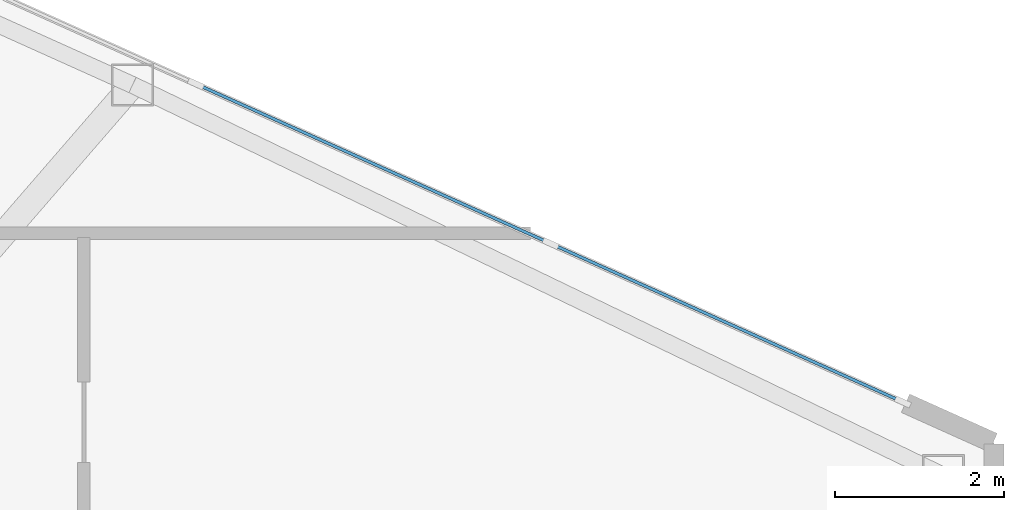
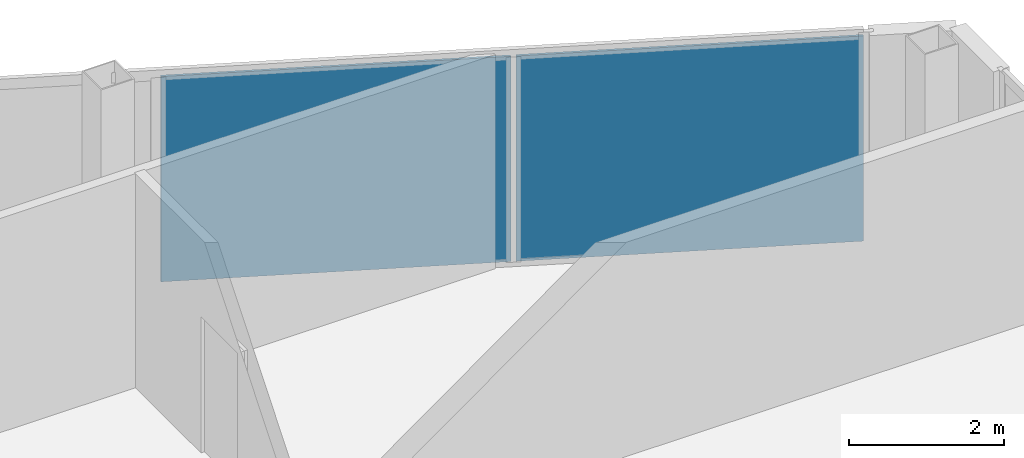
# One storey, part 18 of 27: 2 plates, 1 element without a shape of its own.
"""IFC4 building model written with IfcOpenShell, lengths in metres."""

import ifcopenshell
import ifcopenshell.guid

model = None  # the IFC model being written
_history = None  # IfcOwnerHistory: only IFC2X3 demands one
_inside = {}  # id of a spatial element -> (the spatial element, [elements in it])
_under = {}  # id of a project, library or spatial element -> (it, [spatial elements below it])
_declared = {}  # id of a project -> (the project, [libraries it declares])
_typed = {}  # id of a type object -> (the type object, [elements of that type])
_made_of = {}  # id of a material, layer set ... -> (it, [elements and type objects made of it])


def new_model(schema):
    """Start an empty IFC model of exactly this schema.

    Asked for "IFC4X3", IfcOpenShell would pick the latest addendum, in which some entities
    have other attributes; the version numbers below select the first issue.
    IFC2X3 requires an IfcOwnerHistory on every rooted entity: one is made here for all.
    """
    global model, _history
    if schema == "IFC4X3":
        model = ifcopenshell.file(schema_version=(4, 3, 0, 0))
    else:
        model = ifcopenshell.file(schema=schema)
    _inside.clear()
    _under.clear()
    _declared.clear()
    _typed.clear()
    _made_of.clear()
    _history = None
    if model.schema == "IFC2X3":
        org = make("IfcOrganization", Name="unknown")
        user = make(
            "IfcPersonAndOrganization",
            ThePerson=make("IfcPerson", FamilyName="unknown"),
            TheOrganization=org,
        )
        app = make(
            "IfcApplication",
            ApplicationDeveloper=org,
            Version="unknown",
            ApplicationFullName="unknown",
            ApplicationIdentifier="unknown",
        )
        _history = make(
            "IfcOwnerHistory",
            OwningUser=user,
            OwningApplication=app,
            ChangeAction="ADDED",
            CreationDate=0,
        )
    return model


def make(cls, **values):
    """One entity of the class cls with the attributes given. An attribute that is None is left unset."""
    return model.create_entity(
        cls, **{name: value for name, value in values.items() if value is not None}
    )


def rooted(cls, **values):
    """An entity with a GlobalId (a new one), such as an element, a storey or a relation."""
    return make(cls, GlobalId=ifcopenshell.guid.new(), OwnerHistory=_history, **values)


def si_unit(unit_type, name, prefix=None):
    """IfcSIUnit, for example si_unit("LENGTHUNIT", "METRE", prefix="MILLI")."""
    return make("IfcSIUnit", UnitType=unit_type, Prefix=prefix, Name=name)


def assignment(units):
    """IfcUnitAssignment: the units of a project."""
    return None if units is None else make("IfcUnitAssignment", Units=units)


def point(xyz):
    """IfcCartesianPoint."""
    return None if xyz is None else make("IfcCartesianPoint", Coordinates=xyz)


def direction(xyz):
    """IfcDirection."""
    return None if xyz is None else make("IfcDirection", DirectionRatios=xyz)


def frame(location, z_axis=None, x_axis=None):
    """IfcAxis2Placement3D, a coordinate frame: its origin and axes. An axis left out is left unset."""
    return make(
        "IfcAxis2Placement3D",
        Location=point(location),
        Axis=direction(z_axis),
        RefDirection=direction(x_axis),
    )


def frame_2d(location, x_axis=None):
    """IfcAxis2Placement2D, a coordinate frame in the plane: its origin and x axis."""
    return make(
        "IfcAxis2Placement2D", Location=point(location), RefDirection=direction(x_axis)
    )


def origin():
    """The frame at (0, 0, 0) with its axes left unset."""
    return frame((0.0, 0.0, 0.0))


def origin_2d():
    """The frame at (0, 0) in the plane with its x axis left unset."""
    return frame_2d((0.0, 0.0))


def place(relative_to, where):
    """IfcLocalPlacement: puts the frame where relative to a parent placement (None: the world)."""
    return make(
        "IfcLocalPlacement", PlacementRelTo=relative_to, RelativePlacement=where
    )


def context(
    kind, dimensions, precision=None, world=None, true_north=None, identifier=None
):
    """IfcGeometricRepresentationContext, for example the 3D "Model" context."""
    return make(
        "IfcGeometricRepresentationContext",
        ContextIdentifier=identifier,
        ContextType=kind,
        CoordinateSpaceDimension=dimensions,
        Precision=precision,
        WorldCoordinateSystem=world,
        TrueNorth=true_north,
    )


def subcontext(parent, identifier, kind, view, scale=None):
    """IfcGeometricRepresentationSubContext, for example "Body" below "Model"."""
    return make(
        "IfcGeometricRepresentationSubContext",
        ContextIdentifier=identifier,
        ContextType=kind,
        ParentContext=parent,
        TargetScale=scale,
        TargetView=view,
    )


def project(units=None, contexts=None):
    """IfcProject with its units and contexts."""
    return rooted(
        "IfcProject",
        Name="project",
        RepresentationContexts=contexts,
        UnitsInContext=assignment(units),
    )


def spatial(cls, under=None, at=None, **own):
    """A site, building, storey or space (cls), placed at a placement, below another one or the project."""
    s = rooted(cls, ObjectPlacement=at, **own)
    if under is not None:
        _under.setdefault(under.id(), (under, []))[1].append(s)
    return s


def profile(cls, at=None, kind="AREA", **sizes):
    """A parametric profile (cls). Its sizes go by their IFC names, for example OverallWidth=200.0."""
    return make(cls, ProfileType=kind, Position=at, **sizes)


def rectangle(**sizes):
    """IfcRectangleProfileDef."""
    return profile("IfcRectangleProfileDef", **sizes)


def extrude(swept, where, along, depth):
    """IfcExtrudedAreaSolid: the profile swept, set in the frame where, extruded along a direction by depth."""
    return make(
        "IfcExtrudedAreaSolid",
        SweptArea=swept,
        Position=where,
        ExtrudedDirection=direction(along),
        Depth=depth,
    )


def shape(context_of_items, identifier, shape_type, items):
    """IfcShapeRepresentation: the items that make up one representation, for example the "Body"."""
    return make(
        "IfcShapeRepresentation",
        ContextOfItems=context_of_items,
        RepresentationIdentifier=identifier,
        RepresentationType=shape_type,
        Items=items,
    )


def source(mapping_origin, context_of_items, identifier, shape_type, items):
    """IfcRepresentationMap: a shape defined once, which mapped items show again and again."""
    return make(
        "IfcRepresentationMap",
        MappingOrigin=mapping_origin,
        MappedRepresentation=shape(context_of_items, identifier, shape_type, items),
    )


def transform(
    local_origin,
    x_axis=None,
    y_axis=None,
    z_axis=None,
    scale=None,
    scale2=None,
    scale3=None,
    uniform=True,
):
    """IfcCartesianTransformationOperator3D, or its non-uniform kind. x_axis, y_axis, z_axis: its Axis1, 2, 3."""
    if uniform:
        return make(
            "IfcCartesianTransformationOperator3D",
            Axis1=direction(x_axis),
            Axis2=direction(y_axis),
            LocalOrigin=point(local_origin),
            Scale=scale,
            Axis3=direction(z_axis),
        )
    return make(
        "IfcCartesianTransformationOperator3DnonUniform",
        Axis1=direction(x_axis),
        Axis2=direction(y_axis),
        LocalOrigin=point(local_origin),
        Scale=scale,
        Axis3=direction(z_axis),
        Scale2=scale2,
        Scale3=scale3,
    )


def mapped(mapping_source, mapping_target):
    """IfcMappedItem: shows the shape of a source again, moved by a transform."""
    return make(
        "IfcMappedItem", MappingSource=mapping_source, MappingTarget=mapping_target
    )


def material(Name=None, Category=None):
    """IfcMaterial."""
    return make("IfcMaterial", Name=Name, Category=Category)


def layer(
    of_material, thickness, ventilated=None, Name=None, Category=None, Priority=None
):
    """IfcMaterialLayer: one layer of a wall or slab, of a material (None: an air gap)."""
    return make(
        "IfcMaterialLayer",
        Material=of_material,
        LayerThickness=thickness,
        IsVentilated=ventilated,
        Name=Name,
        Category=Category,
        Priority=Priority,
    )


def layer_set(layers, Name=None):
    """IfcMaterialLayerSet."""
    return make("IfcMaterialLayerSet", MaterialLayers=layers, LayerSetName=Name)


def made_of(thing, what):
    """Note that an element or type object is made of a material, layer set ...; save() writes the relation."""
    if what is not None:
        _made_of.setdefault(what.id(), (what, []))[1].append(thing)
    return thing


def type_object(cls, material=None, **own):
    """A type object (cls), such as IfcWallType, which elements share."""
    return made_of(rooted(cls, **own), material)


def type_shapes(of_type, sources):
    """Give a type object the sources (RepresentationMaps) that its elements show as mapped items."""
    of_type.RepresentationMaps = sources


def element(
    cls,
    number,
    at=None,
    inside=None,
    cuts=None,
    type_object=None,
    material=None,
    context=None,
    identifier="Body",
    shape_type=None,
    held_by="IfcProductDefinitionShape",
    body=None,
    shapes=None,
    **own,
):
    """One element of the class cls, such as IfcWall. Its Tag is "e" and its number.

    at: its placement. inside: the storey or other place that contains it. cuts: it is an
    opening in that element (IfcRelVoidsElement). A single representation is given by context,
    identifier, shape_type and body (its items); several are given by shapes. held_by: the class
    of the entity that holds the representations. save() writes the other relations.
    """
    e = rooted(cls, Tag="e%d" % number, ObjectPlacement=at, **own)
    if body is not None:
        shapes = [shape(context, identifier, shape_type, body)]
    if shapes is not None:
        e.Representation = make(held_by, Representations=shapes)
    if inside is not None:
        _inside.setdefault(inside.id(), (inside, []))[1].append(e)
    if cuts is not None:
        rooted(
            "IfcRelVoidsElement", RelatingBuildingElement=cuts, RelatedOpeningElement=e
        )
    if type_object is not None:
        _typed.setdefault(type_object.id(), (type_object, []))[1].append(e)
    return made_of(e, material)


def aggregate(whole, parts):
    """IfcRelAggregates: a whole, such as a stair, and the parts it consists of."""
    return rooted("IfcRelAggregates", RelatingObject=whole, RelatedObjects=parts)


def save(model, path):
    """Write the relations noted so far, then the file.

    IfcRelAggregates (storeys below a building ...), IfcRelContainedInSpatialStructure (elements
    in a storey), IfcRelDefinesByType, IfcRelAssociatesMaterial and IfcRelDeclares: one each for
    every whole, place, type object, material and project.
    """
    for whole, parts in _under.values():
        aggregate(whole, parts)
    for where, things in _inside.values():
        rooted(
            "IfcRelContainedInSpatialStructure",
            RelatedElements=things,
            RelatingStructure=where,
        )
    for kind, things in _typed.values():
        rooted("IfcRelDefinesByType", RelatedObjects=things, RelatingType=kind)
    for what, things in _made_of.values():
        rooted("IfcRelAssociatesMaterial", RelatedObjects=things, RelatingMaterial=what)
    for by, libraries in _declared.values():
        rooted("IfcRelDeclares", RelatingContext=by, RelatedDefinitions=libraries)
    model.write(path)


model = new_model("IFC4")

# Units and contexts
model_context = context("Model", 3, precision=1e-05, world=origin(), true_north=direction((0.0, 1.0)))
body_context = subcontext(model_context, "Body", "Model", "MODEL_VIEW")
ifc_project = project(units=[si_unit("LENGTHUNIT", "METRE"), si_unit("AREAUNIT", "SQUARE_METRE"), si_unit("VOLUMEUNIT", "CUBIC_METRE"), si_unit("PLANEANGLEUNIT", "RADIAN"), si_unit("MASSUNIT", "GRAM", prefix="KILO")], contexts=[model_context])

# Site, building, storey
site_placement = place(None, origin())
site = spatial("IfcSite", under=ifc_project, at=site_placement, CompositionType="ELEMENT")
building_placement = place(site_placement, origin())
building = spatial("IfcBuilding", under=site, at=building_placement, Name="Seokmaru Belvedere", CompositionType="ELEMENT")
storey_placement = place(building_placement, frame((0.0, 0.0, 72.89990234375)))
storey = spatial("IfcBuildingStorey", under=building, at=storey_placement, Name="L19", CompositionType="ELEMENT", Elevation=72.89990234375)

# Curtain wall, plates
ifc_material = material(Name="Bronze Triple Insulating Glass", Category="glass")
ifc_layer_1 = layer(ifc_material, 0.195068359375)
ifc_layer_set_1 = layer_set([ifc_layer_1], Name="Bronze Triple Insulating Glass")
curtain_wall_type = type_object("IfcCurtainWallType", Name="Lower-Mid Tapered Curtain Wall System CW-3", PredefinedType="NOTDEFINED", material=ifc_layer_set_1)
curtain_wall_placement = place(storey_placement, origin())
curtain_wall = element("IfcCurtainWall", 1, at=curtain_wall_placement, inside=storey, type_object=curtain_wall_type, Name="L19 Curtain Wall EF3", PredefinedType="NOTDEFINED")
ifc_layer_2 = layer(ifc_material, 0.035888671875)
ifc_layer_set_2 = layer_set([ifc_layer_2], Name="Bronze Triple Insulating Glass")
plate_type = type_object("IfcPlateType", Name="Bronze Triple Vision Glazing Panel 36", PredefinedType="CURTAIN_PANEL", material=ifc_layer_set_2)
shared_shape_1 = source(origin(), body_context, "Body", "SweptSolid", [
    extrude(rectangle(XDim=4.51318359375, YDim=0.035888671875, at=origin_2d()), origin(), (0.0, 0.0, 1.0), 3.239990234375),
])
plate_1_placement = place(storey_placement, frame((67.82958984375, 8.926513671875, 0.0703125), z_axis=(0.0, 0.0, 1.0), x_axis=(-0.91192111353, 0.41036554765, 0.0)))
plate_1 = element("IfcPlate", 2, at=plate_1_placement, type_object=plate_type, Name="CW:L19:EF3 Glazing Panel 1-1", PredefinedType="CURTAIN_PANEL", context=body_context, shape_type="MappedRepresentation", body=[
    mapped(shared_shape_1, transform((0.0, 0.0, 0.0), scale=1.0)),
])
shared_shape_2 = source(origin(), body_context, "Body", "SweptSolid", [
    extrude(rectangle(XDim=4.548095703125, YDim=0.035888671875, at=origin_2d()), origin(), (0.0, 0.0, 1.0), 3.239990234375),
])
type_shapes(plate_type, [shared_shape_1, shared_shape_2])
plate_2_placement = place(storey_placement, frame((63.63427734375, 10.814697265625, 0.0703125), z_axis=(0.0, 0.0, 1.0), x_axis=(-0.91192111353, 0.41036554765, 0.0)))
plate_2 = element("IfcPlate", 3, at=plate_2_placement, type_object=plate_type, Name="CW:L19:EF3 Glazing Panel 2-1", PredefinedType="CURTAIN_PANEL", context=body_context, shape_type="MappedRepresentation", body=[
    mapped(shared_shape_2, transform((0.0, 0.0, 0.0), scale=1.0)),
])
aggregate(curtain_wall, [plate_1, plate_2])

save(model, "model.ifc")
